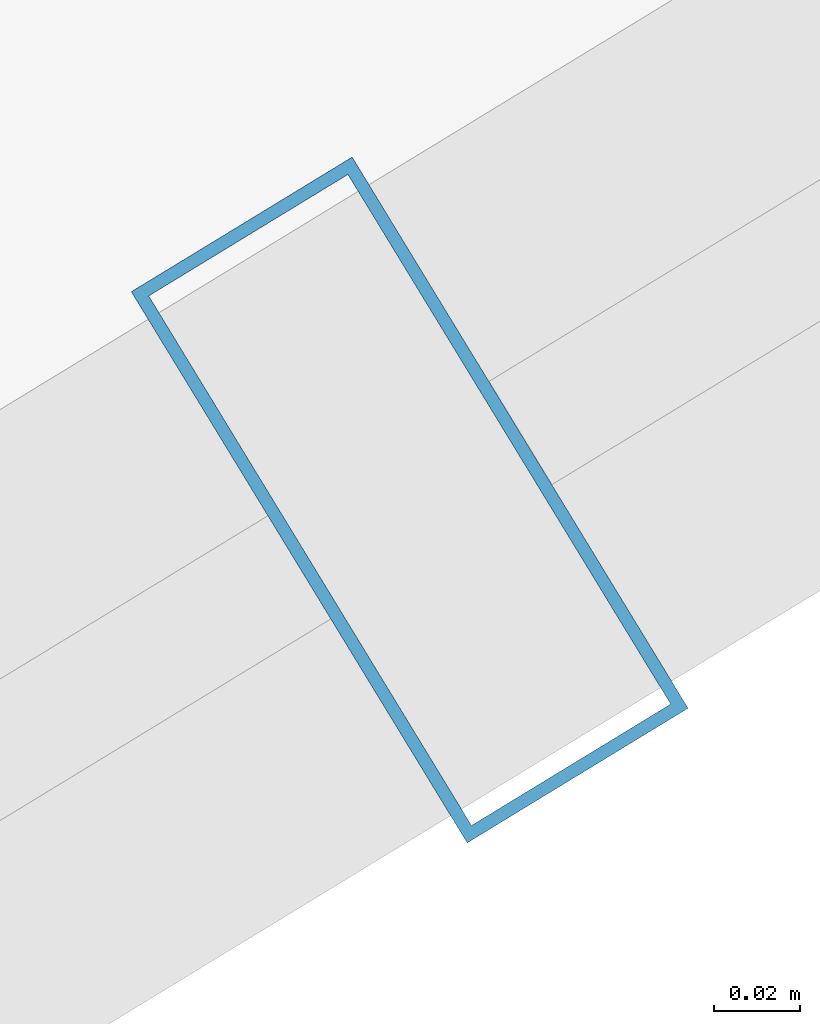
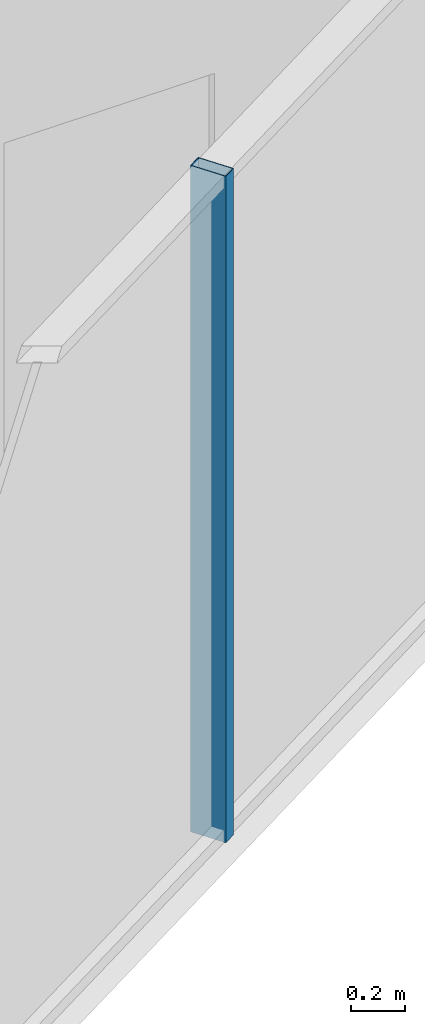
# One storey, part 8 of 32: 1 member, 1 element without a shape of its own.
"""IFC4 building model written with IfcOpenShell, lengths in metres."""

from ifc_helpers import new_model, si_unit, direction, frame, origin, origin_2d, place, context, subcontext, project, spatial, hollow_rectangle, extrude, source, transform, mapped, material, layer, layer_set, material_profile, profile_set, type_object, element, aggregate, save


model = new_model("IFC4")

# Units and contexts
model_context = context("Model", 3, precision=1e-05, world=origin(), true_north=direction((0.0, 1.0)))
body_context = subcontext(model_context, "Body", "Model", "MODEL_VIEW")
ifc_project = project(units=[si_unit("LENGTHUNIT", "METRE"), si_unit("AREAUNIT", "SQUARE_METRE"), si_unit("VOLUMEUNIT", "CUBIC_METRE"), si_unit("PLANEANGLEUNIT", "RADIAN"), si_unit("MASSUNIT", "GRAM", prefix="KILO")], contexts=[model_context])

# Site, building, storey
site_placement = place(None, origin())
site = spatial("IfcSite", under=ifc_project, at=site_placement, CompositionType="ELEMENT")
building_placement = place(site_placement, origin())
building = spatial("IfcBuilding", under=site, at=building_placement, Name="Veraguas Prism Commons", CompositionType="ELEMENT")
storey_placement = place(building_placement, frame((0.0, 0.0, 201.60009765625)))
storey = spatial("IfcBuildingStorey", under=building, at=storey_placement, Name="L57", CompositionType="ELEMENT", Elevation=201.60009765625)

# Curtain wall, member
ifc_material = material(Name="Anodised aluminium EN AW-6063 T6", Category="aluminium")
ifc_layer = layer(ifc_material, 0.14990234375, Name="Unitised Flush Curtain Wall Zone 3", Category="aluminium")
ifc_layer_set = layer_set([ifc_layer], Name="Anodised aluminium EN AW-6063 T6")
curtain_wall_type = type_object("IfcCurtainWallType", Name="Unitised Flush Curtain Wall Zone 3", PredefinedType="NOTDEFINED", material=ifc_layer_set)
curtain_wall_placement = place(storey_placement, origin())
curtain_wall = element("IfcCurtainWall", 1, at=curtain_wall_placement, inside=storey, type_object=curtain_wall_type, Name="Tower Facade Curtain Wall L57-F5", PredefinedType="NOTDEFINED")
ifc_material_profile = material_profile(ifc_material, hollow_rectangle(XDim=0.06005859375, YDim=0.14990234375, WallThickness=0.0029296875, at=origin_2d()), Name="AL60X150X3")
ifc_profile_set = profile_set([ifc_material_profile], Name="Anodised aluminium EN AW-6063 T6")
member_type = type_object("IfcMemberType", Name="Curtain Wall Mullion Upper AL 60x150x3", PredefinedType="MULLION", material=ifc_profile_set)
shared_shape = source(origin(), body_context, "Body", "SweptSolid", [
    extrude(hollow_rectangle(XDim=0.06005859375, YDim=0.14990234375, WallThickness=0.0029296875, at=origin_2d()), origin(), (0.0, 0.0, 1.0), 3.014892578125),
])
member_placement = place(storey_placement, frame((33.216552734375, 8.876953125, 0.0), z_axis=(0.0, 0.0, 1.0), x_axis=(0.853914322581, 0.520413614052, 0.0)))
member = element("IfcMember", 2, at=member_placement, type_object=member_type, Name="CW-Z3 Mullion 3", PredefinedType="MULLION", context=body_context, shape_type="MappedRepresentation", body=[
    mapped(shared_shape, transform((0.0, 0.0, 0.0), scale=1.0)),
])
aggregate(curtain_wall, [member])

save(model, "model.ifc")
